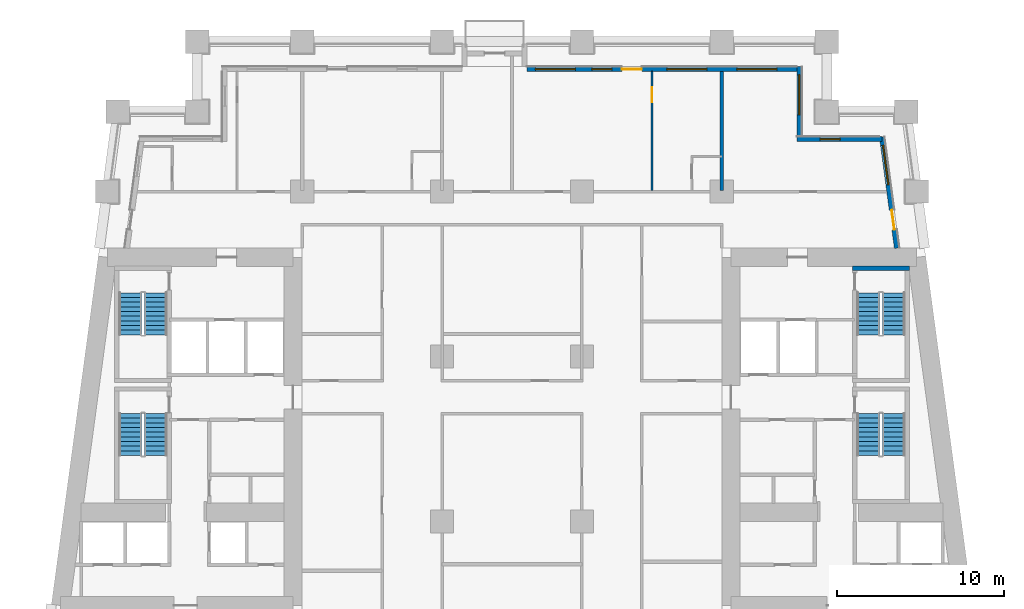
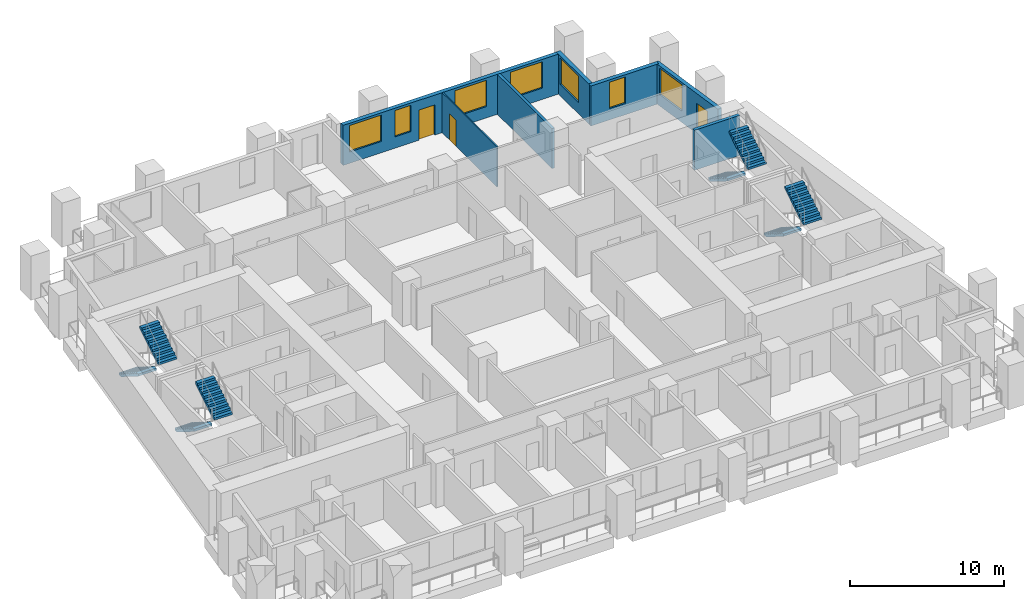
# One storey, part 7 of 12: 8 stair flights, 7 walls, 7 windows, 3 doors, 10 openings, 4 elements without a shape of their own.
"""IFC4 building model written with IfcOpenShell, lengths in metres."""

from ifc_helpers import new_model, si_unit, direction, frame, frame_2d, origin, place, context, subcontext, project, spatial, polyline, rectangle, outline, extrude, material, layer, layer_set, type_object, element, fill, aggregate, save


model = new_model("IFC4")

# Units and contexts
model_context = context("Model", 3, precision=1e-05, world=origin(), true_north=direction((0.0, 1.0)))
body_context = subcontext(model_context, "Body", "Model", "MODEL_VIEW")
ifc_project = project(units=[si_unit("LENGTHUNIT", "METRE"), si_unit("AREAUNIT", "SQUARE_METRE"), si_unit("VOLUMEUNIT", "CUBIC_METRE"), si_unit("PLANEANGLEUNIT", "RADIAN"), si_unit("MASSUNIT", "GRAM", prefix="KILO")], contexts=[model_context])

# Site, building, storey
site_placement = place(None, origin())
site = spatial("IfcSite", under=ifc_project, at=site_placement, CompositionType="ELEMENT")
building_placement = place(site_placement, origin())
building = spatial("IfcBuilding", under=site, at=building_placement, Name="Candeia Pilgrim Tower and Theatre", CompositionType="ELEMENT")
storey_placement = place(building_placement, frame((0.0, 0.0, 46.0)))
storey = spatial("IfcBuildingStorey", under=building, at=storey_placement, Name="L08", CompositionType="ELEMENT", Elevation=46.0)

# Wall, openings, door, window
ifc_material_1 = material(Name="Ceramic block masonry", Category="masonry")
ifc_layer_1 = layer(ifc_material_1, 0.300048828125)
ifc_layer_set_1 = layer_set([ifc_layer_1], Name="EW1 glazing-line wall 300")
wall_type_1 = type_object("IfcWallType", Name="EW1 glazing-line wall 300", PredefinedType="SOLIDWALL", material=ifc_layer_set_1)
wall_1_placement = place(storey_placement, frame((136.50439453125, 132.39990234375, 0.0), z_axis=(0.0, 0.0, 1.0), x_axis=(-0.133399697462, 0.99106231929, 0.0)))
wall_1 = element("IfcWall", 1, at=wall_1_placement, inside=storey, type_object=wall_type_1, Name="External wall L08-3.1", PredefinedType="SOLIDWALL", context=body_context, shape_type="SweptSolid", body=[
    extrude(rectangle(XDim=6.740478515625, YDim=0.300048828125, at=frame_2d((3.3701171875, 0.0))), origin(), (0.0, 0.0, 1.0), 3.179931640625),
])
opening_1_placement = place(wall_1_placement, frame((1.115234375, 0.0, 0.0)))
opening_1 = element("IfcOpeningElement", 2, at=opening_1_placement, cuts=wall_1, Name="Opening L08-ED103", PredefinedType="OPENING", context=body_context, shape_type="SweptSolid", body=[
    extrude(rectangle(XDim=1.199951171875, YDim=2.39990234375, at=frame_2d((0.60009765625, 1.199951171875))), frame((0.0, 0.16015625, 0.0), z_axis=(0.0, -1.0, 0.0), x_axis=(1.0, 0.0, 0.0)), (0.0, 0.0, 1.0), 0.320068359375),
])
opening_2_placement = place(wall_1_placement, frame((3.83544921875, 0.0, 0.89990234375)))
opening_2 = element("IfcOpeningElement", 3, at=opening_2_placement, cuts=wall_1, Name="Opening W-A", PredefinedType="OPENING", context=body_context, shape_type="SweptSolid", body=[
    extrude(rectangle(XDim=2.39990234375, YDim=2.10009765625, at=frame_2d((1.199951171875, 1.050048828125))), frame((0.0, 0.16015625, 0.0), z_axis=(0.0, -1.0, 0.0), x_axis=(1.0, 0.0, 0.0)), (0.0, 0.0, 1.0), 0.320068359375),
])
ifc_material_2 = material(Name="Aluminium framed glazed door", Category="aluminium")
door_type_1 = type_object("IfcDoorType", Name="Loggia door 1200x2400", OperationType="DOUBLE_DOOR_SINGLE_SWING", PredefinedType="DOOR", material=ifc_material_2)
door_1_placement = place(opening_1_placement, origin())
door_1 = element("IfcDoor", 4, at=door_1_placement, inside=storey, type_object=door_type_1, Name="Loggia door L08-ED103", OperationType="DOUBLE_DOOR_SINGLE_SWING", OverallHeight=2.39990234375, OverallWidth=1.199951171875, PredefinedType="DOOR", context=body_context, shape_type="SweptSolid", body=[
    extrude(rectangle(XDim=1.199951171875, YDim=2.39990234375, at=frame_2d((0.60009765625, 1.199951171875))), frame((0.0, 0.02490234375, 0.0), z_axis=(0.0, -1.0, 0.0), x_axis=(1.0, 0.0, 0.0)), (0.0, 0.0, 1.0), 0.050048828125),
])
fill(opening_1, door_1)
ifc_material_3 = material(Name="Aluminium framed double glazing", Category="aluminium")
window_type_1 = type_object("IfcWindowType", Name="W-A window 2400x2100", PartitioningType="DOUBLE_PANEL_VERTICAL", PredefinedType="WINDOW", material=ifc_material_3)
window_1_placement = place(opening_2_placement, origin())
window_1 = element("IfcWindow", 5, at=window_1_placement, inside=storey, type_object=window_type_1, Name="Window W-A L08", OverallHeight=2.10009765625, OverallWidth=2.39990234375, PartitioningType="SINGLE_PANEL", PredefinedType="WINDOW", context=body_context, shape_type="SweptSolid", body=[
    extrude(rectangle(XDim=2.39990234375, YDim=2.10009765625, at=frame_2d((1.199951171875, 1.050048828125))), frame((0.0, 0.030029296875, 0.0), z_axis=(0.0, -1.0, 0.0), x_axis=(1.0, 0.0, 0.0)), (0.0, 0.0, 1.0), 0.06005859375),
])
fill(opening_2, window_1)

# Wall, opening, window
wall_2_placement = place(storey_placement, frame((135.62255859375, 138.949951171875, 0.0), z_axis=(0.0, 0.0, 1.0), x_axis=(-1.0, 0.0, 0.0)))
wall_2 = element("IfcWall", 6, at=wall_2_placement, inside=storey, type_object=wall_type_1, Name="External wall L08-4.0", PredefinedType="SOLIDWALL", context=body_context, shape_type="SweptSolid", body=[
    extrude(rectangle(XDim=5.12255859375, YDim=0.300048828125, at=frame_2d((2.561279296875, 0.0))), origin(), (0.0, 0.0, 1.0), 3.179931640625),
])
opening_3_placement = place(wall_2_placement, frame((2.522705078125, 0.0, 0.89990234375)))
opening_3 = element("IfcOpeningElement", 7, at=opening_3_placement, cuts=wall_2, Name="Opening W-B", PredefinedType="OPENING", context=body_context, shape_type="SweptSolid", body=[
    extrude(rectangle(XDim=1.199951171875, YDim=2.10009765625, at=frame_2d((0.60009765625, 1.050048828125))), frame((0.0, 0.16015625, 0.0), z_axis=(0.0, -1.0, 0.0), x_axis=(1.0, 0.0, 0.0)), (0.0, 0.0, 1.0), 0.320068359375),
])
window_type_2 = type_object("IfcWindowType", Name="W-B window 1200x2100", PartitioningType="SINGLE_PANEL", PredefinedType="WINDOW", material=ifc_material_3)
window_2_placement = place(opening_3_placement, origin())
window_2 = element("IfcWindow", 8, at=window_2_placement, inside=storey, type_object=window_type_2, Name="Window W-B L08", OverallHeight=2.10009765625, OverallWidth=1.199951171875, PartitioningType="SINGLE_PANEL", PredefinedType="WINDOW", context=body_context, shape_type="SweptSolid", body=[
    extrude(rectangle(XDim=1.199951171875, YDim=2.10009765625, at=frame_2d((0.60009765625, 1.050048828125))), frame((0.0, 0.030029296875, 0.0), z_axis=(0.0, -1.0, 0.0), x_axis=(1.0, 0.0, 0.0)), (0.0, 0.0, 1.0), 0.06005859375),
])
fill(opening_3, window_2)

wall_3_placement = place(storey_placement, frame((130.64990234375, 138.949951171875, 0.0), z_axis=(0.0, 0.0, 1.0), x_axis=(0.0, 1.0, 0.0)))
wall_3 = element("IfcWall", 9, at=wall_3_placement, inside=storey, type_object=wall_type_1, Name="External wall L08-5.0", PredefinedType="SOLIDWALL", context=body_context, shape_type="SweptSolid", body=[
    extrude(rectangle(XDim=4.35009765625, YDim=0.300048828125, at=frame_2d((2.175048828125, 0.0))), origin(), (0.0, 0.0, 1.0), 3.179931640625),
])
opening_4_placement = place(wall_3_placement, frame((1.449951171875, 0.0, 0.89990234375)))
opening_4 = element("IfcOpeningElement", 10, at=opening_4_placement, cuts=wall_3, Name="Opening W-A", PredefinedType="OPENING", context=body_context, shape_type="SweptSolid", body=[
    extrude(rectangle(XDim=2.39990234375, YDim=2.10009765625, at=frame_2d((1.199951171875, 1.050048828125))), frame((0.0, 0.16015625, 0.0), z_axis=(0.0, -1.0, 0.0), x_axis=(1.0, 0.0, 0.0)), (0.0, 0.0, 1.0), 0.320068359375),
])
window_3_placement = place(opening_4_placement, origin())
window_3 = element("IfcWindow", 11, at=window_3_placement, inside=storey, type_object=window_type_1, Name="Window W-A L08", OverallHeight=2.10009765625, OverallWidth=2.39990234375, PartitioningType="SINGLE_PANEL", PredefinedType="WINDOW", context=body_context, shape_type="SweptSolid", body=[
    extrude(rectangle(XDim=2.39990234375, YDim=2.10009765625, at=frame_2d((1.199951171875, 1.050048828125))), frame((0.0, 0.030029296875, 0.0), z_axis=(0.0, -1.0, 0.0), x_axis=(1.0, 0.0, 0.0)), (0.0, 0.0, 1.0), 0.06005859375),
])
fill(opening_4, window_3)

# Wall, openings, door, windows
wall_4_placement = place(storey_placement, frame((130.64990234375, 143.14990234375, 0.0), z_axis=(0.0, 0.0, 1.0), x_axis=(-1.0, 0.0, 0.0)))
wall_4 = element("IfcWall", 12, at=wall_4_placement, inside=storey, type_object=wall_type_1, Name="External wall L08-6.0", PredefinedType="SOLIDWALL", context=body_context, shape_type="SweptSolid", body=[
    extrude(rectangle(XDim=16.349853515625, YDim=0.300048828125, at=frame_2d((8.1748046875, 0.0))), origin(), (0.0, 0.0, 1.0), 3.179931640625),
])
opening_5_placement = place(wall_4_placement, frame((1.35009765625, 0.0, 0.89990234375)))
opening_5 = element("IfcOpeningElement", 13, at=opening_5_placement, cuts=wall_4, Name="Opening W-A", PredefinedType="OPENING", context=body_context, shape_type="SweptSolid", body=[
    extrude(rectangle(XDim=2.39990234375, YDim=2.10009765625, at=frame_2d((1.199951171875, 1.050048828125))), frame((0.0, 0.16015625, 0.0), z_axis=(0.0, -1.0, 0.0), x_axis=(1.0, 0.0, 0.0)), (0.0, 0.0, 1.0), 0.320068359375),
])
opening_6_placement = place(wall_4_placement, frame((5.550048828125, 0.0, 0.89990234375)))
opening_6 = element("IfcOpeningElement", 14, at=opening_6_placement, cuts=wall_4, Name="Opening W-A", PredefinedType="OPENING", context=body_context, shape_type="SweptSolid", body=[
    extrude(rectangle(XDim=2.39990234375, YDim=2.10009765625, at=frame_2d((1.199951171875, 1.050048828125))), frame((0.0, 0.16015625, 0.0), z_axis=(0.0, -1.0, 0.0), x_axis=(1.0, 0.0, 0.0)), (0.0, 0.0, 1.0), 0.320068359375),
])
opening_7_placement = place(wall_4_placement, frame((9.449951171875, 0.0, 0.0)))
opening_7 = element("IfcOpeningElement", 15, at=opening_7_placement, cuts=wall_4, Name="Opening L08-ED104", PredefinedType="OPENING", context=body_context, shape_type="SweptSolid", body=[
    extrude(rectangle(XDim=1.199951171875, YDim=2.39990234375, at=frame_2d((0.60009765625, 1.199951171875))), frame((0.0, 0.16015625, 0.0), z_axis=(0.0, -1.0, 0.0), x_axis=(1.0, 0.0, 0.0)), (0.0, 0.0, 1.0), 0.320068359375),
])
opening_8_placement = place(wall_4_placement, frame((11.25, 0.0, 0.89990234375)))
opening_8 = element("IfcOpeningElement", 16, at=opening_8_placement, cuts=wall_4, Name="Opening W-B", PredefinedType="OPENING", context=body_context, shape_type="SweptSolid", body=[
    extrude(rectangle(XDim=1.199951171875, YDim=2.10009765625, at=frame_2d((0.60009765625, 1.050048828125))), frame((0.0, 0.16015625, 0.0), z_axis=(0.0, -1.0, 0.0), x_axis=(1.0, 0.0, 0.0)), (0.0, 0.0, 1.0), 0.320068359375),
])
opening_9_placement = place(wall_4_placement, frame((13.449951171875, 0.0, 0.89990234375)))
opening_9 = element("IfcOpeningElement", 17, at=opening_9_placement, cuts=wall_4, Name="Opening W-A", PredefinedType="OPENING", context=body_context, shape_type="SweptSolid", body=[
    extrude(rectangle(XDim=2.39990234375, YDim=2.10009765625, at=frame_2d((1.199951171875, 1.050048828125))), frame((0.0, 0.16015625, 0.0), z_axis=(0.0, -1.0, 0.0), x_axis=(1.0, 0.0, 0.0)), (0.0, 0.0, 1.0), 0.320068359375),
])
door_2_placement = place(opening_7_placement, origin())
door_2 = element("IfcDoor", 18, at=door_2_placement, inside=storey, type_object=door_type_1, Name="Loggia door L08-ED104", OperationType="DOUBLE_DOOR_SINGLE_SWING", OverallHeight=2.39990234375, OverallWidth=1.199951171875, PredefinedType="DOOR", context=body_context, shape_type="SweptSolid", body=[
    extrude(rectangle(XDim=1.199951171875, YDim=2.39990234375, at=frame_2d((0.60009765625, 1.199951171875))), frame((0.0, 0.02490234375, 0.0), z_axis=(0.0, -1.0, 0.0), x_axis=(1.0, 0.0, 0.0)), (0.0, 0.0, 1.0), 0.050048828125),
])
fill(opening_7, door_2)
window_4_placement = place(opening_5_placement, origin())
window_4 = element("IfcWindow", 19, at=window_4_placement, inside=storey, type_object=window_type_1, Name="Window W-A L08", OverallHeight=2.10009765625, OverallWidth=2.39990234375, PartitioningType="SINGLE_PANEL", PredefinedType="WINDOW", context=body_context, shape_type="SweptSolid", body=[
    extrude(rectangle(XDim=2.39990234375, YDim=2.10009765625, at=frame_2d((1.199951171875, 1.050048828125))), frame((0.0, 0.030029296875, 0.0), z_axis=(0.0, -1.0, 0.0), x_axis=(1.0, 0.0, 0.0)), (0.0, 0.0, 1.0), 0.06005859375),
])
fill(opening_5, window_4)
window_5_placement = place(opening_6_placement, origin())
window_5 = element("IfcWindow", 20, at=window_5_placement, inside=storey, type_object=window_type_1, Name="Window W-A L08", OverallHeight=2.10009765625, OverallWidth=2.39990234375, PartitioningType="SINGLE_PANEL", PredefinedType="WINDOW", context=body_context, shape_type="SweptSolid", body=[
    extrude(rectangle(XDim=2.39990234375, YDim=2.10009765625, at=frame_2d((1.199951171875, 1.050048828125))), frame((0.0, 0.030029296875, 0.0), z_axis=(0.0, -1.0, 0.0), x_axis=(1.0, 0.0, 0.0)), (0.0, 0.0, 1.0), 0.06005859375),
])
fill(opening_6, window_5)
window_6_placement = place(opening_9_placement, origin())
window_6 = element("IfcWindow", 21, at=window_6_placement, inside=storey, type_object=window_type_1, Name="Window W-A L08", OverallHeight=2.10009765625, OverallWidth=2.39990234375, PartitioningType="SINGLE_PANEL", PredefinedType="WINDOW", context=body_context, shape_type="SweptSolid", body=[
    extrude(rectangle(XDim=2.39990234375, YDim=2.10009765625, at=frame_2d((1.199951171875, 1.050048828125))), frame((0.0, 0.030029296875, 0.0), z_axis=(0.0, -1.0, 0.0), x_axis=(1.0, 0.0, 0.0)), (0.0, 0.0, 1.0), 0.06005859375),
])
fill(opening_9, window_6)
window_7_placement = place(opening_8_placement, origin())
window_7 = element("IfcWindow", 22, at=window_7_placement, inside=storey, type_object=window_type_2, Name="Window W-B L08", OverallHeight=2.10009765625, OverallWidth=1.199951171875, PartitioningType="SINGLE_PANEL", PredefinedType="WINDOW", context=body_context, shape_type="SweptSolid", body=[
    extrude(rectangle(XDim=1.199951171875, YDim=2.10009765625, at=frame_2d((0.60009765625, 1.050048828125))), frame((0.0, 0.030029296875, 0.0), z_axis=(0.0, -1.0, 0.0), x_axis=(1.0, 0.0, 0.0)), (0.0, 0.0, 1.0), 0.06005859375),
])
fill(opening_8, window_7)

# Wall, opening, door
ifc_material_4 = material(Name="Gypsum board partition on steel studs", Category="steel")
ifc_layer_2 = layer(ifc_material_4, 0.10009765625)
ifc_layer_set_2 = layer_set([ifc_layer_2], Name="PW-100 room partition")
wall_type_2 = type_object("IfcWallType", Name="PW-100 room partition", PredefinedType="PARTITIONING", material=ifc_layer_set_2)
wall_5_placement = place(storey_placement, frame((121.800048828125, 135.875, 0.0), z_axis=(0.0, 0.0, 1.0), x_axis=(0.0, 1.0, 0.0)))
wall_5 = element("IfcWall", 23, at=wall_5_placement, inside=storey, type_object=wall_type_2, Name="Room partition L08-093", PredefinedType="PARTITIONING", context=body_context, shape_type="SweptSolid", body=[
    extrude(rectangle(XDim=7.135009765625, YDim=0.10009765625, at=frame_2d((3.5673828125, 0.0))), origin(), (0.0, 0.0, 1.0), 3.179931640625),
])
opening_10_placement = place(wall_5_placement, frame((5.2900390625, 0.0, 0.0)))
opening_10 = element("IfcOpeningElement", 24, at=opening_10_placement, cuts=wall_5, Name="Opening L08-D038", PredefinedType="OPENING", context=body_context, shape_type="SweptSolid", body=[
    extrude(rectangle(XDim=0.89990234375, YDim=2.10009765625, at=frame_2d((0.449951171875, 1.050048828125))), frame((0.0, 0.06005859375, 0.0), z_axis=(0.0, -1.0, 0.0), x_axis=(1.0, 0.0, 0.0)), (0.0, 0.0, 1.0), 0.1201171875),
])
ifc_material_5 = material(Name="Timber door leaf", Category="wood")
door_type_2 = type_object("IfcDoorType", Name="D-900", OperationType="NOTDEFINED", PredefinedType="DOOR", material=ifc_material_5)
door_3_placement = place(opening_10_placement, origin())
door_3 = element("IfcDoor", 25, at=door_3_placement, inside=storey, type_object=door_type_2, Name="Door L08-D038", OperationType="SINGLE_SWING_RIGHT", OverallHeight=2.10009765625, OverallWidth=0.89990234375, PredefinedType="DOOR", context=body_context, shape_type="SweptSolid", body=[
    extrude(rectangle(XDim=0.89990234375, YDim=2.10009765625, at=frame_2d((0.449951171875, 1.050048828125))), frame((0.0, 0.02490234375, 0.0), z_axis=(0.0, -1.0, 0.0), x_axis=(1.0, 0.0, 0.0)), (0.0, 0.0, 1.0), 0.050048828125),
])
fill(opening_10, door_3)

# Walls
ifc_layer_3 = layer(ifc_material_4, 0.199951171875)
ifc_layer_set_3 = layer_set([ifc_layer_3], Name="PW-200 party wall")
wall_type_3 = type_object("IfcWallType", Name="PW-200 party wall", PredefinedType="PARTITIONING", material=ifc_layer_set_3)
wall_6_placement = place(storey_placement, frame((126.0, 135.875, 0.0), z_axis=(0.0, 0.0, 1.0), x_axis=(0.0, 1.0, 0.0)))
element("IfcWall", 26, at=wall_6_placement, inside=storey, type_object=wall_type_3, Name="Party wall L08-097", PredefinedType="PARTITIONING", context=body_context, shape_type="SweptSolid", body=[
    extrude(rectangle(XDim=7.135009765625, YDim=0.199951171875, at=frame_2d((3.5673828125, 0.0))), origin(), (0.0, 0.0, 1.0), 3.179931640625),
])
ifc_material_6 = material(Name="Concrete C40/50", Category="concrete")
ifc_layer_4 = layer(ifc_material_6, 0.25)
ifc_layer_set_4 = layer_set([ifc_layer_4], Name="SW-250 stair wall")
wall_type_4 = type_object("IfcWallType", Name="SW-250 stair wall", PredefinedType="PARTITIONING", material=ifc_layer_set_4)
wall_7_placement = place(storey_placement, frame((133.847900390625, 131.199951171875, 0.0), z_axis=(0.0, 0.0, 1.0), x_axis=(1.0, 0.0, 0.0)))
element("IfcWall", 27, at=wall_7_placement, inside=storey, type_object=wall_type_4, Name="Stair wall L08-044", PredefinedType="PARTITIONING", context=body_context, shape_type="SweptSolid", body=[
    extrude(rectangle(XDim=3.400146484375, YDim=0.25, at=frame_2d((1.7001953125, 0.0))), origin(), (0.0, 0.0, 1.0), 3.179931640625),
])

# Stair, stair flights
stair_type = type_object("IfcStairType", Name="ST-TWR dog-leg escape stair", PredefinedType="HALF_TURN_STAIR", material=ifc_material_6)
stair_1_placement = place(storey_placement, origin())
stair_1 = element("IfcStair", 28, at=stair_1_placement, inside=storey, type_object=stair_type, Name="L08 Escape stair ST1", PredefinedType="HALF_TURN_STAIR")
stair_flight_type = type_object("IfcStairFlightType", Name="SFL-RC stair flight", PredefinedType="STRAIGHT", material=ifc_material_6)
stair_flight_1_placement = place(storey_placement, frame((90.47705078125, 122.47509765625, 0.0), z_axis=(0.0, 0.0, 1.0), x_axis=(0.0, -1.0, 0.0)))
stair_flight_1 = element("IfcStairFlight", 29, at=stair_flight_1_placement, type_object=stair_flight_type, Name="ST1 flight 1", NumberOfRisers=10, NumberOfTreads=9, PredefinedType="STRAIGHT", RiserHeight=0.175, TreadLength=0.28, context=body_context, shape_type="SweptSolid", body=[
    extrude(outline(polyline([(0.0, 0.0), (0.0, 0.175048828125), (0.280029296875, 0.175048828125), (0.280029296875, 0.35009765625), (0.56005859375, 0.35009765625), (0.56005859375, 0.52490234375), (0.840087890625, 0.52490234375), (0.840087890625, 0.699951171875), (1.1201171875, 0.699951171875), (1.1201171875, 0.875), (1.39990234375, 0.875), (1.39990234375, 1.050048828125), (1.679931640625, 1.050048828125), (1.679931640625, 1.22509765625), (1.9599609375, 1.22509765625), (1.9599609375, 1.39990234375), (2.239990234375, 1.39990234375), (2.239990234375, 1.574951171875), (2.52001953125, 1.574951171875), (2.52001953125, 1.75), (2.52001953125, 1.398193359375), (0.28271484375, 0.0), (0.0, 0.0)])), frame((0.0, 0.675048828125, 0.0), z_axis=(0.0, -1.0, 0.0), x_axis=(1.0, 0.0, 0.0)), (0.0, 0.0, 1.0), 1.35009765625),
])
stair_flight_2_placement = place(storey_placement, frame((92.027099609375, 119.955078125, 1.75), z_axis=(0.0, 0.0, 1.0), x_axis=(0.0, 1.0, 0.0)))
stair_flight_2 = element("IfcStairFlight", 30, at=stair_flight_2_placement, type_object=stair_flight_type, Name="ST1 flight 2", NumberOfRisers=10, NumberOfTreads=9, PredefinedType="STRAIGHT", RiserHeight=0.175, TreadLength=0.28, context=body_context, shape_type="SweptSolid", body=[
    extrude(outline(polyline([(0.0, 0.0), (0.0, 0.175048828125), (0.280029296875, 0.175048828125), (0.280029296875, 0.35009765625), (0.56005859375, 0.35009765625), (0.56005859375, 0.52490234375), (0.840087890625, 0.52490234375), (0.840087890625, 0.699951171875), (1.1201171875, 0.699951171875), (1.1201171875, 0.875), (1.39990234375, 0.875), (1.39990234375, 1.050048828125), (1.679931640625, 1.050048828125), (1.679931640625, 1.22509765625), (1.9599609375, 1.22509765625), (1.9599609375, 1.39990234375), (2.239990234375, 1.39990234375), (2.239990234375, 1.574951171875), (2.52001953125, 1.574951171875), (2.52001953125, 1.75), (2.52001953125, 1.398193359375), (0.28271484375, 0.0), (0.0, 0.0)])), frame((0.0, 0.675048828125, 0.0), z_axis=(0.0, -1.0, 0.0), x_axis=(1.0, 0.0, 0.0)), (0.0, 0.0, 1.0), 1.35009765625),
])
aggregate(stair_1, [stair_flight_1, stair_flight_2])

stair_2_placement = place(storey_placement, origin())
stair_2 = element("IfcStair", 31, at=stair_2_placement, inside=storey, type_object=stair_type, Name="L08 Escape stair ST2", PredefinedType="HALF_TURN_STAIR")
stair_flight_3_placement = place(storey_placement, frame((90.47705078125, 129.72509765625, 0.0), z_axis=(0.0, 0.0, 1.0), x_axis=(0.0, -1.0, 0.0)))
stair_flight_3 = element("IfcStairFlight", 32, at=stair_flight_3_placement, type_object=stair_flight_type, Name="ST2 flight 1", NumberOfRisers=10, NumberOfTreads=9, PredefinedType="STRAIGHT", RiserHeight=0.175, TreadLength=0.28, context=body_context, shape_type="SweptSolid", body=[
    extrude(outline(polyline([(0.0, 0.0), (0.0, 0.175048828125), (0.280029296875, 0.175048828125), (0.280029296875, 0.35009765625), (0.56005859375, 0.35009765625), (0.56005859375, 0.52490234375), (0.840087890625, 0.52490234375), (0.840087890625, 0.699951171875), (1.1201171875, 0.699951171875), (1.1201171875, 0.875), (1.39990234375, 0.875), (1.39990234375, 1.050048828125), (1.679931640625, 1.050048828125), (1.679931640625, 1.22509765625), (1.9599609375, 1.22509765625), (1.9599609375, 1.39990234375), (2.239990234375, 1.39990234375), (2.239990234375, 1.574951171875), (2.52001953125, 1.574951171875), (2.52001953125, 1.75), (2.52001953125, 1.398193359375), (0.28271484375, 0.0), (0.0, 0.0)])), frame((0.0, 0.675048828125, 0.0), z_axis=(0.0, -1.0, 0.0), x_axis=(1.0, 0.0, 0.0)), (0.0, 0.0, 1.0), 1.35009765625),
])
stair_flight_4_placement = place(storey_placement, frame((92.027099609375, 127.205078125, 1.75), z_axis=(0.0, 0.0, 1.0), x_axis=(0.0, 1.0, 0.0)))
stair_flight_4 = element("IfcStairFlight", 33, at=stair_flight_4_placement, type_object=stair_flight_type, Name="ST2 flight 2", NumberOfRisers=10, NumberOfTreads=9, PredefinedType="STRAIGHT", RiserHeight=0.175, TreadLength=0.28, context=body_context, shape_type="SweptSolid", body=[
    extrude(outline(polyline([(0.0, 0.0), (0.0, 0.175048828125), (0.280029296875, 0.175048828125), (0.280029296875, 0.35009765625), (0.56005859375, 0.35009765625), (0.56005859375, 0.52490234375), (0.840087890625, 0.52490234375), (0.840087890625, 0.699951171875), (1.1201171875, 0.699951171875), (1.1201171875, 0.875), (1.39990234375, 0.875), (1.39990234375, 1.050048828125), (1.679931640625, 1.050048828125), (1.679931640625, 1.22509765625), (1.9599609375, 1.22509765625), (1.9599609375, 1.39990234375), (2.239990234375, 1.39990234375), (2.239990234375, 1.574951171875), (2.52001953125, 1.574951171875), (2.52001953125, 1.75), (2.52001953125, 1.398193359375), (0.28271484375, 0.0), (0.0, 0.0)])), frame((0.0, 0.675048828125, 0.0), z_axis=(0.0, -1.0, 0.0), x_axis=(1.0, 0.0, 0.0)), (0.0, 0.0, 1.0), 1.35009765625),
])
aggregate(stair_2, [stair_flight_3, stair_flight_4])

stair_3_placement = place(storey_placement, origin())
stair_3 = element("IfcStair", 34, at=stair_3_placement, inside=storey, type_object=stair_type, Name="L08 Escape stair ST3", PredefinedType="HALF_TURN_STAIR")
stair_flight_5_placement = place(storey_placement, frame((134.77294921875, 122.47509765625, 0.0), z_axis=(0.0, 0.0, 1.0), x_axis=(0.0, -1.0, 0.0)))
stair_flight_5 = element("IfcStairFlight", 35, at=stair_flight_5_placement, type_object=stair_flight_type, Name="ST3 flight 1", NumberOfRisers=10, NumberOfTreads=9, PredefinedType="STRAIGHT", RiserHeight=0.175, TreadLength=0.28, context=body_context, shape_type="SweptSolid", body=[
    extrude(outline(polyline([(0.0, 0.0), (0.0, 0.175048828125), (0.280029296875, 0.175048828125), (0.280029296875, 0.35009765625), (0.56005859375, 0.35009765625), (0.56005859375, 0.52490234375), (0.840087890625, 0.52490234375), (0.840087890625, 0.699951171875), (1.1201171875, 0.699951171875), (1.1201171875, 0.875), (1.39990234375, 0.875), (1.39990234375, 1.050048828125), (1.679931640625, 1.050048828125), (1.679931640625, 1.22509765625), (1.9599609375, 1.22509765625), (1.9599609375, 1.39990234375), (2.239990234375, 1.39990234375), (2.239990234375, 1.574951171875), (2.52001953125, 1.574951171875), (2.52001953125, 1.75), (2.52001953125, 1.398193359375), (0.28271484375, 0.0), (0.0, 0.0)])), frame((0.0, 0.675048828125, 0.0), z_axis=(0.0, -1.0, 0.0), x_axis=(1.0, 0.0, 0.0)), (0.0, 0.0, 1.0), 1.35009765625),
])
stair_flight_6_placement = place(storey_placement, frame((136.322998046875, 119.955078125, 1.75), z_axis=(0.0, 0.0, 1.0), x_axis=(0.0, 1.0, 0.0)))
stair_flight_6 = element("IfcStairFlight", 36, at=stair_flight_6_placement, type_object=stair_flight_type, Name="ST3 flight 2", NumberOfRisers=10, NumberOfTreads=9, PredefinedType="STRAIGHT", RiserHeight=0.175, TreadLength=0.28, context=body_context, shape_type="SweptSolid", body=[
    extrude(outline(polyline([(0.0, 0.0), (0.0, 0.175048828125), (0.280029296875, 0.175048828125), (0.280029296875, 0.35009765625), (0.56005859375, 0.35009765625), (0.56005859375, 0.52490234375), (0.840087890625, 0.52490234375), (0.840087890625, 0.699951171875), (1.1201171875, 0.699951171875), (1.1201171875, 0.875), (1.39990234375, 0.875), (1.39990234375, 1.050048828125), (1.679931640625, 1.050048828125), (1.679931640625, 1.22509765625), (1.9599609375, 1.22509765625), (1.9599609375, 1.39990234375), (2.239990234375, 1.39990234375), (2.239990234375, 1.574951171875), (2.52001953125, 1.574951171875), (2.52001953125, 1.75), (2.52001953125, 1.398193359375), (0.28271484375, 0.0), (0.0, 0.0)])), frame((0.0, 0.675048828125, 0.0), z_axis=(0.0, -1.0, 0.0), x_axis=(1.0, 0.0, 0.0)), (0.0, 0.0, 1.0), 1.35009765625),
])
aggregate(stair_3, [stair_flight_5, stair_flight_6])

stair_4_placement = place(storey_placement, origin())
stair_4 = element("IfcStair", 37, at=stair_4_placement, inside=storey, type_object=stair_type, Name="L08 Escape stair ST4", PredefinedType="HALF_TURN_STAIR")
stair_flight_7_placement = place(storey_placement, frame((134.77294921875, 129.72509765625, 0.0), z_axis=(0.0, 0.0, 1.0), x_axis=(0.0, -1.0, 0.0)))
stair_flight_7 = element("IfcStairFlight", 38, at=stair_flight_7_placement, type_object=stair_flight_type, Name="ST4 flight 1", NumberOfRisers=10, NumberOfTreads=9, PredefinedType="STRAIGHT", RiserHeight=0.175, TreadLength=0.28, context=body_context, shape_type="SweptSolid", body=[
    extrude(outline(polyline([(0.0, 0.0), (0.0, 0.175048828125), (0.280029296875, 0.175048828125), (0.280029296875, 0.35009765625), (0.56005859375, 0.35009765625), (0.56005859375, 0.52490234375), (0.840087890625, 0.52490234375), (0.840087890625, 0.699951171875), (1.1201171875, 0.699951171875), (1.1201171875, 0.875), (1.39990234375, 0.875), (1.39990234375, 1.050048828125), (1.679931640625, 1.050048828125), (1.679931640625, 1.22509765625), (1.9599609375, 1.22509765625), (1.9599609375, 1.39990234375), (2.239990234375, 1.39990234375), (2.239990234375, 1.574951171875), (2.52001953125, 1.574951171875), (2.52001953125, 1.75), (2.52001953125, 1.398193359375), (0.28271484375, 0.0), (0.0, 0.0)])), frame((0.0, 0.675048828125, 0.0), z_axis=(0.0, -1.0, 0.0), x_axis=(1.0, 0.0, 0.0)), (0.0, 0.0, 1.0), 1.35009765625),
])
stair_flight_8_placement = place(storey_placement, frame((136.322998046875, 127.205078125, 1.75), z_axis=(0.0, 0.0, 1.0), x_axis=(0.0, 1.0, 0.0)))
stair_flight_8 = element("IfcStairFlight", 39, at=stair_flight_8_placement, type_object=stair_flight_type, Name="ST4 flight 2", NumberOfRisers=10, NumberOfTreads=9, PredefinedType="STRAIGHT", RiserHeight=0.175, TreadLength=0.28, context=body_context, shape_type="SweptSolid", body=[
    extrude(outline(polyline([(0.0, 0.0), (0.0, 0.175048828125), (0.280029296875, 0.175048828125), (0.280029296875, 0.35009765625), (0.56005859375, 0.35009765625), (0.56005859375, 0.52490234375), (0.840087890625, 0.52490234375), (0.840087890625, 0.699951171875), (1.1201171875, 0.699951171875), (1.1201171875, 0.875), (1.39990234375, 0.875), (1.39990234375, 1.050048828125), (1.679931640625, 1.050048828125), (1.679931640625, 1.22509765625), (1.9599609375, 1.22509765625), (1.9599609375, 1.39990234375), (2.239990234375, 1.39990234375), (2.239990234375, 1.574951171875), (2.52001953125, 1.574951171875), (2.52001953125, 1.75), (2.52001953125, 1.398193359375), (0.28271484375, 0.0), (0.0, 0.0)])), frame((0.0, 0.675048828125, 0.0), z_axis=(0.0, -1.0, 0.0), x_axis=(1.0, 0.0, 0.0)), (0.0, 0.0, 1.0), 1.35009765625),
])
aggregate(stair_4, [stair_flight_7, stair_flight_8])

save(model, "model.ifc")
